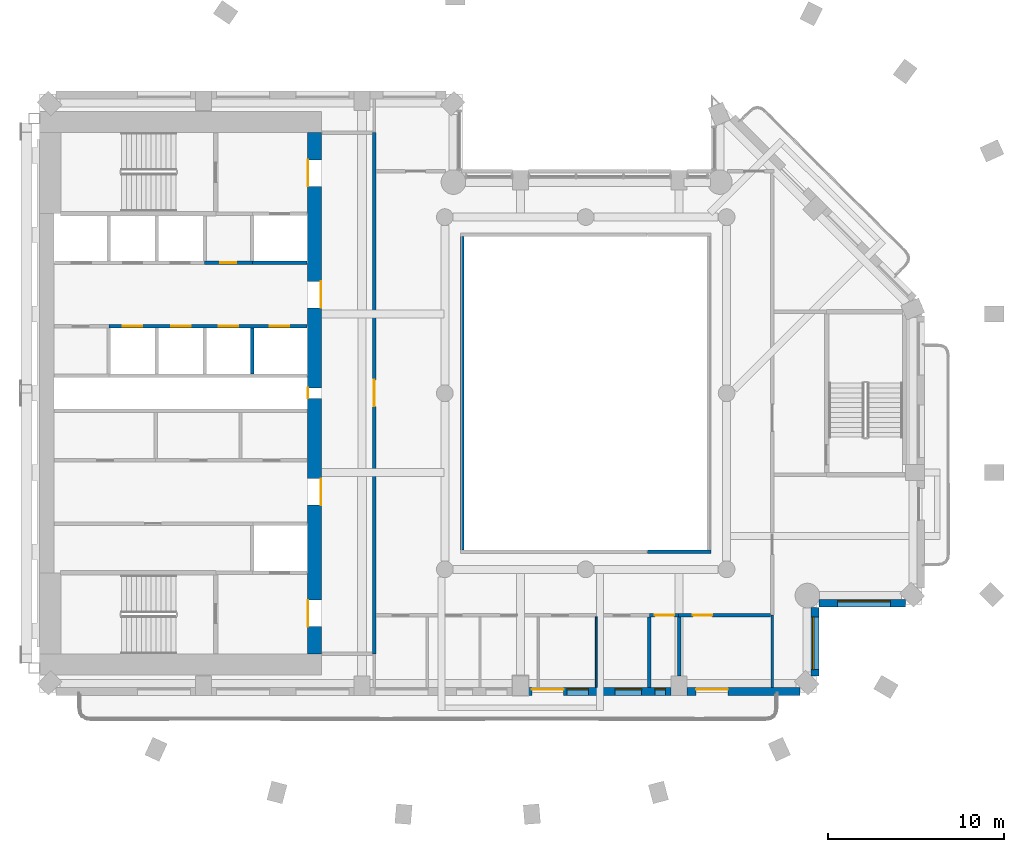
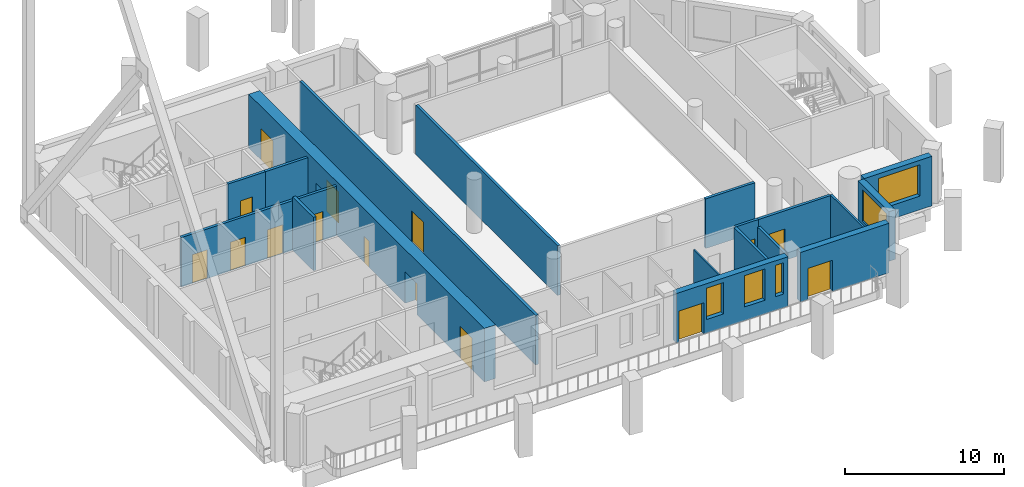
# One storey, part 5 of 16: 18 walls, 15 doors, 5 windows, 20 openings.
"""IFC4 building model written with IfcOpenShell, lengths in metres."""

from ifc_helpers import new_model, si_unit, direction, frame, frame_2d, origin, place, context, subcontext, project, spatial, rectangle, extrude, material, layer, layer_set, type_object, element, fill, save


model = new_model("IFC4")

# Units and contexts
model_context = context("Model", 3, precision=1e-05, world=origin(), true_north=direction((0.0, 1.0)))
body_context = subcontext(model_context, "Body", "Model", "MODEL_VIEW")
ifc_project = project(units=[si_unit("LENGTHUNIT", "METRE"), si_unit("AREAUNIT", "SQUARE_METRE"), si_unit("VOLUMEUNIT", "CUBIC_METRE"), si_unit("PLANEANGLEUNIT", "RADIAN"), si_unit("MASSUNIT", "GRAM", prefix="KILO")], contexts=[model_context])

# Site, building, storey
site_placement = place(None, origin())
site = spatial("IfcSite", under=ifc_project, at=site_placement, CompositionType="ELEMENT")
building_placement = place(site_placement, origin())
building = spatial("IfcBuilding", under=site, at=building_placement, Name="Cypress Arch Tower", CompositionType="ELEMENT")
storey_placement = place(building_placement, frame((0.0, 0.0, 197.39990234375)))
storey = spatial("IfcBuildingStorey", under=building, at=storey_placement, Name="L43", CompositionType="ELEMENT", Elevation=197.39990234375)

# Wall, openings, door, windows
ifc_material_1 = material(Name="Brick (red buff blend)", Category="masonry")
ifc_layer_1 = layer(ifc_material_1, 0.449951171875)
ifc_layer_set_1 = layer_set([ifc_layer_1], Name="Brick pier and spandrel wall BW450")
wall_type_1 = type_object("IfcWallType", Name="Brick pier and spandrel wall BW450", PredefinedType="SOLIDWALL", material=ifc_layer_set_1)
wall_1_placement = place(storey_placement, frame((-2.25, -16.925048828125, 0.0), z_axis=(0.0, 0.0, 1.0), x_axis=(1.0, 0.0, 0.0)))
wall_1 = element("IfcWall", 1, at=wall_1_placement, inside=storey, type_object=wall_type_1, Name="Brick wall L43 B01.3", PredefinedType="SOLIDWALL", context=body_context, shape_type="SweptSolid", body=[
    extrude(rectangle(XDim=8.10009765625, YDim=0.449951171875, at=frame_2d((4.050048828125, 0.0))), origin(), (0.0, 0.0, 1.0), 3.800048828125),
])
opening_1_placement = place(wall_1_placement, frame((0.199951171875, 0.0, 0.0)))
opening_1 = element("IfcOpeningElement", 2, at=opening_1_placement, cuts=wall_1, Name="Opening D-L43-B01.3.1", PredefinedType="OPENING", context=body_context, shape_type="SweptSolid", body=[
    extrude(rectangle(XDim=1.800048828125, YDim=2.39990234375, at=frame_2d((0.89990234375, 1.199951171875))), frame((0.0, 0.23486328125, 0.0), z_axis=(0.0, -1.0, 0.0), x_axis=(1.0, 0.0, 0.0)), (0.0, 0.0, 1.0), 0.469970703125),
])
opening_2_placement = place(wall_1_placement, frame((2.199951171875, 0.0, 1.050048828125)))
opening_2 = element("IfcOpeningElement", 3, at=opening_2_placement, cuts=wall_1, Name="Opening W120OD", PredefinedType="OPENING", context=body_context, shape_type="SweptSolid", body=[
    extrude(rectangle(XDim=1.199951171875, YDim=2.39990234375, at=frame_2d((0.60009765625, 1.199951171875))), frame((0.0, 0.23486328125, 0.0), z_axis=(0.0, -1.0, 0.0), x_axis=(1.0, 0.0, 0.0)), (0.0, 0.0, 1.0), 0.469970703125),
])
opening_3_placement = place(wall_1_placement, frame((4.925537109375, 0.0, 1.050048828125)))
opening_3 = element("IfcOpeningElement", 4, at=opening_3_placement, cuts=wall_1, Name="Opening W150OD", PredefinedType="OPENING", context=body_context, shape_type="SweptSolid", body=[
    extrude(rectangle(XDim=1.5, YDim=2.39990234375, at=frame_2d((0.75, 1.199951171875))), frame((0.0, 0.23486328125, 0.0), z_axis=(0.0, -1.0, 0.0), x_axis=(1.0, 0.0, 0.0)), (0.0, 0.0, 1.0), 0.469970703125),
])
opening_4_placement = place(wall_1_placement, frame((7.175537109375, 0.0, 1.050048828125)))
opening_4 = element("IfcOpeningElement", 5, at=opening_4_placement, cuts=wall_1, Name="Opening W060OD", PredefinedType="OPENING", context=body_context, shape_type="SweptSolid", body=[
    extrude(rectangle(XDim=0.60009765625, YDim=2.39990234375, at=frame_2d((0.300048828125, 1.199951171875))), frame((0.0, 0.23486328125, 0.0), z_axis=(0.0, -1.0, 0.0), x_axis=(1.0, 0.0, 0.0)), (0.0, 0.0, 1.0), 0.469970703125),
])
ifc_material_2 = material(Name="Anodised aluminium, bronze finish, laminated low-emissivity double glazing, large-missile impact rated", Category="aluminium")
door_type_1 = type_object("IfcDoorType", Name="Balcony sliding door 1800x2400", OperationType="SLIDING_TO_LEFT", PredefinedType="DOOR", material=ifc_material_2)
door_1_placement = place(opening_1_placement, origin())
door_1 = element("IfcDoor", 6, at=door_1_placement, inside=storey, type_object=door_type_1, Name="Balcony door L43 B01.3.1", OperationType="SLIDING_TO_LEFT", OverallHeight=2.39990234375, OverallWidth=1.800048828125, PredefinedType="DOOR", context=body_context, shape_type="SweptSolid", body=[
    extrude(rectangle(XDim=1.800048828125, YDim=2.39990234375, at=frame_2d((0.89990234375, 1.199951171875))), frame((0.0, 0.1298828125, 0.0), z_axis=(0.0, -1.0, 0.0), x_axis=(1.0, 0.0, 0.0)), (0.0, 0.0, 1.0), 0.050048828125),
])
fill(opening_1, door_1)
ifc_material_3 = material(Name="Anodised aluminium, bronze finish, laminated low-emissivity double glazing, large-missile impact rated", Category="aluminium")
window_type_1 = type_object("IfcWindowType", Name="Window Office 1200x2400 debris-rated", PartitioningType="SINGLE_PANEL", PredefinedType="WINDOW", material=ifc_material_3)
window_1_placement = place(opening_2_placement, origin())
window_1 = element("IfcWindow", 7, at=window_1_placement, inside=storey, type_object=window_type_1, Name="Window L43 B01.3.1", OverallHeight=2.39990234375, OverallWidth=1.199951171875, PartitioningType="SINGLE_PANEL", PredefinedType="WINDOW", context=body_context, shape_type="SweptSolid", body=[
    extrude(rectangle(XDim=1.199951171875, YDim=2.39990234375, at=frame_2d((0.60009765625, 1.199951171875))), frame((0.0, 0.135009765625, 0.0), z_axis=(0.0, -1.0, 0.0), x_axis=(1.0, 0.0, 0.0)), (0.0, 0.0, 1.0), 0.06005859375),
])
fill(opening_2, window_1)
ifc_material_4 = material(Name="Anodised aluminium, bronze finish, laminated low-emissivity double glazing, large-missile impact rated", Category="aluminium")
window_type_2 = type_object("IfcWindowType", Name="Window Office 1500x2400 debris-rated", PartitioningType="SINGLE_PANEL", PredefinedType="WINDOW", material=ifc_material_4)
window_2_placement = place(opening_3_placement, origin())
window_2 = element("IfcWindow", 8, at=window_2_placement, inside=storey, type_object=window_type_2, Name="Window L43 B01.3.2", OverallHeight=2.39990234375, OverallWidth=1.5, PartitioningType="SINGLE_PANEL", PredefinedType="WINDOW", context=body_context, shape_type="SweptSolid", body=[
    extrude(rectangle(XDim=1.5, YDim=2.39990234375, at=frame_2d((0.75, 1.199951171875))), frame((0.0, 0.135009765625, 0.0), z_axis=(0.0, -1.0, 0.0), x_axis=(1.0, 0.0, 0.0)), (0.0, 0.0, 1.0), 0.06005859375),
])
fill(opening_3, window_2)
ifc_material_5 = material(Name="Anodised aluminium, bronze finish, laminated low-emissivity double glazing, large-missile impact rated", Category="aluminium")
window_type_3 = type_object("IfcWindowType", Name="Window Office 600x2400 debris-rated", PartitioningType="SINGLE_PANEL", PredefinedType="WINDOW", material=ifc_material_5)
window_3_placement = place(opening_4_placement, origin())
window_3 = element("IfcWindow", 9, at=window_3_placement, inside=storey, type_object=window_type_3, Name="Window L43 B01.3.2b", OverallHeight=2.39990234375, OverallWidth=0.60009765625, PartitioningType="SINGLE_PANEL", PredefinedType="WINDOW", context=body_context, shape_type="SweptSolid", body=[
    extrude(rectangle(XDim=0.60009765625, YDim=2.39990234375, at=frame_2d((0.300048828125, 1.199951171875))), frame((0.0, 0.135009765625, 0.0), z_axis=(0.0, -1.0, 0.0), x_axis=(1.0, 0.0, 0.0)), (0.0, 0.0, 1.0), 0.06005859375),
])
fill(opening_4, window_3)

# Wall, opening, door
wall_2_placement = place(storey_placement, frame((6.75, -16.925048828125, 0.0), z_axis=(0.0, 0.0, 1.0), x_axis=(1.0, 0.0, 0.0)))
wall_2 = element("IfcWall", 10, at=wall_2_placement, inside=storey, type_object=wall_type_1, Name="Brick wall L43 B01.4", PredefinedType="SOLIDWALL", context=body_context, shape_type="SweptSolid", body=[
    extrude(rectangle(XDim=6.41357421875, YDim=0.449951171875, at=frame_2d((3.206787109375, 0.0))), origin(), (0.0, 0.0, 1.0), 3.800048828125),
])
opening_5_placement = place(wall_2_placement, frame((0.52490234375, 0.0, 0.0)))
opening_5 = element("IfcOpeningElement", 11, at=opening_5_placement, cuts=wall_2, Name="Opening D-L43-B01.4.1", PredefinedType="OPENING", context=body_context, shape_type="SweptSolid", body=[
    extrude(rectangle(XDim=1.800048828125, YDim=2.39990234375, at=frame_2d((0.89990234375, 1.199951171875))), frame((0.0, 0.23486328125, 0.0), z_axis=(0.0, -1.0, 0.0), x_axis=(1.0, 0.0, 0.0)), (0.0, 0.0, 1.0), 0.469970703125),
])
door_2_placement = place(opening_5_placement, origin())
door_2 = element("IfcDoor", 12, at=door_2_placement, inside=storey, type_object=door_type_1, Name="Balcony door L43 B01.4.1", OperationType="SLIDING_TO_LEFT", OverallHeight=2.39990234375, OverallWidth=1.800048828125, PredefinedType="DOOR", context=body_context, shape_type="SweptSolid", body=[
    extrude(rectangle(XDim=1.800048828125, YDim=2.39990234375, at=frame_2d((0.89990234375, 1.199951171875))), frame((0.0, 0.1298828125, 0.0), z_axis=(0.0, -1.0, 0.0), x_axis=(1.0, 0.0, 0.0)), (0.0, 0.0, 1.0), 0.050048828125),
])
fill(opening_5, door_2)

# Wall, opening, window
wall_3_placement = place(storey_placement, frame((14.02490234375, -16.063720703125, 0.0), z_axis=(0.0, 0.0, 1.0), x_axis=(0.0, 1.0, 0.0)))
wall_3 = element("IfcWall", 13, at=wall_3_placement, inside=storey, type_object=wall_type_1, Name="Brick wall L43 B02.0", PredefinedType="SOLIDWALL", context=body_context, shape_type="SweptSolid", body=[
    extrude(rectangle(XDim=3.9091796875, YDim=0.449951171875, at=frame_2d((1.95458984375, 0.0))), origin(), (0.0, 0.0, 1.0), 3.800048828125),
])
opening_6_placement = place(wall_3_placement, frame((0.363525390625, 0.0, 1.050048828125)))
opening_6 = element("IfcOpeningElement", 14, at=opening_6_placement, cuts=wall_3, Name="Opening W300O", PredefinedType="OPENING", context=body_context, shape_type="SweptSolid", body=[
    extrude(rectangle(XDim=3.0, YDim=2.39990234375, at=frame_2d((1.5, 1.199951171875))), frame((0.0, 0.23486328125, 0.0), z_axis=(0.0, -1.0, 0.0), x_axis=(1.0, 0.0, 0.0)), (0.0, 0.0, 1.0), 0.469970703125),
])
ifc_material_6 = material(Name="Anodised aluminium, bronze finish, clear low-emissivity double glazing", Category="aluminium")
window_type_4 = type_object("IfcWindowType", Name="Window Office 3000x2400", PartitioningType="SINGLE_PANEL", PredefinedType="WINDOW", material=ifc_material_6)
window_4_placement = place(opening_6_placement, origin())
window_4 = element("IfcWindow", 15, at=window_4_placement, inside=storey, type_object=window_type_4, Name="Window L43 B02.0.1", OverallHeight=2.39990234375, OverallWidth=3.0, PartitioningType="SINGLE_PANEL", PredefinedType="WINDOW", context=body_context, shape_type="SweptSolid", body=[
    extrude(rectangle(XDim=3.0, YDim=2.39990234375, at=frame_2d((1.5, 1.199951171875))), frame((0.0, 0.135009765625, 0.0), z_axis=(0.0, -1.0, 0.0), x_axis=(1.0, 0.0, 0.0)), (0.0, 0.0, 1.0), 0.06005859375),
])
fill(opening_6, window_4)

wall_4_placement = place(storey_placement, frame((14.254638671875, -11.925048828125, 0.0), z_axis=(0.0, 0.0, 1.0), x_axis=(1.0, 0.0, 0.0)))
wall_4 = element("IfcWall", 16, at=wall_4_placement, inside=storey, type_object=wall_type_1, Name="Brick wall L43 B03.0", PredefinedType="SOLIDWALL", context=body_context, shape_type="SweptSolid", body=[
    extrude(rectangle(XDim=4.908935546875, YDim=0.449951171875, at=frame_2d((2.45458984375, 0.0))), origin(), (0.0, 0.0, 1.0), 3.800048828125),
])
opening_7_placement = place(wall_4_placement, frame((1.04541015625, 0.0, 1.050048828125)))
opening_7 = element("IfcOpeningElement", 17, at=opening_7_placement, cuts=wall_4, Name="Opening W300O", PredefinedType="OPENING", context=body_context, shape_type="SweptSolid", body=[
    extrude(rectangle(XDim=3.0, YDim=2.39990234375, at=frame_2d((1.5, 1.199951171875))), frame((0.0, 0.23486328125, 0.0), z_axis=(0.0, -1.0, 0.0), x_axis=(1.0, 0.0, 0.0)), (0.0, 0.0, 1.0), 0.469970703125),
])
window_5_placement = place(opening_7_placement, origin())
window_5 = element("IfcWindow", 18, at=window_5_placement, inside=storey, type_object=window_type_4, Name="Window L43 B03.0.1", OverallHeight=2.39990234375, OverallWidth=3.0, PartitioningType="SINGLE_PANEL", PredefinedType="WINDOW", context=body_context, shape_type="SweptSolid", body=[
    extrude(rectangle(XDim=3.0, YDim=2.39990234375, at=frame_2d((1.5, 1.199951171875))), frame((0.0, 0.135009765625, 0.0), z_axis=(0.0, -1.0, 0.0), x_axis=(1.0, 0.0, 0.0)), (0.0, 0.0, 1.0), 0.06005859375),
])
fill(opening_7, window_5)

# Wall, openings, doors
ifc_material_7 = material(Name="Concrete C70/85", Category="concrete")
ifc_layer_2 = layer(ifc_material_7, 0.800048828125)
ifc_layer_set_2 = layer_set([ifc_layer_2], Name="Core wall CW800 C70/85")
wall_type_2 = type_object("IfcWallType", Name="Core wall CW800 C70/85", PredefinedType="SHEAR", material=ifc_layer_set_2)
wall_5_placement = place(storey_placement, frame((-14.39990234375, -14.800048828125, 0.0), z_axis=(0.0, 0.0, 1.0), x_axis=(0.0, 1.0, 0.0)))
wall_5 = element("IfcWall", 19, at=wall_5_placement, inside=storey, type_object=wall_type_2, Name="Core wall", PredefinedType="SHEAR", context=body_context, shape_type="SweptSolid", body=[
    extrude(rectangle(XDim=29.60009765625, YDim=0.800048828125, at=frame_2d((14.800048828125, 0.0))), origin(), (0.0, 0.0, 1.0), 4.10009765625),
])
opening_8_placement = place(wall_5_placement, frame((1.550048828125, 0.0, 0.0)))
opening_8 = element("IfcOpeningElement", 20, at=opening_8_placement, cuts=wall_5, Name="Opening D07", PredefinedType="OPENING", context=body_context, shape_type="SweptSolid", body=[
    extrude(rectangle(XDim=1.5, YDim=2.39990234375, at=frame_2d((0.75, 1.199951171875))), frame((0.0, 0.409912109375, 0.0), z_axis=(0.0, -1.0, 0.0), x_axis=(1.0, 0.0, 0.0)), (0.0, 0.0, 1.0), 0.820068359375),
])
opening_9_placement = place(wall_5_placement, frame((26.550048828125, 0.0, 0.0)))
opening_9 = element("IfcOpeningElement", 21, at=opening_9_placement, cuts=wall_5, Name="Opening D07", PredefinedType="OPENING", context=body_context, shape_type="SweptSolid", body=[
    extrude(rectangle(XDim=1.5, YDim=2.39990234375, at=frame_2d((0.75, 1.199951171875))), frame((0.0, 0.409912109375, 0.0), z_axis=(0.0, -1.0, 0.0), x_axis=(1.0, 0.0, 0.0)), (0.0, 0.0, 1.0), 0.820068359375),
])
opening_10_placement = place(wall_5_placement, frame((8.449951171875, 0.0, 0.0)))
opening_10 = element("IfcOpeningElement", 22, at=opening_10_placement, cuts=wall_5, Name="Opening D07", PredefinedType="OPENING", context=body_context, shape_type="SweptSolid", body=[
    extrude(rectangle(XDim=1.5, YDim=2.39990234375, at=frame_2d((0.75, 1.199951171875))), frame((0.0, 0.409912109375, 0.0), z_axis=(0.0, -1.0, 0.0), x_axis=(1.0, 0.0, 0.0)), (0.0, 0.0, 1.0), 0.820068359375),
])
opening_11_placement = place(wall_5_placement, frame((19.64990234375, 0.0, 0.0)))
opening_11 = element("IfcOpeningElement", 23, at=opening_11_placement, cuts=wall_5, Name="Opening D07", PredefinedType="OPENING", context=body_context, shape_type="SweptSolid", body=[
    extrude(rectangle(XDim=1.5, YDim=2.39990234375, at=frame_2d((0.75, 1.199951171875))), frame((0.0, 0.409912109375, 0.0), z_axis=(0.0, -1.0, 0.0), x_axis=(1.0, 0.0, 0.0)), (0.0, 0.0, 1.0), 0.820068359375),
])
opening_12_placement = place(wall_5_placement, frame((14.5, 0.0, 0.0)))
opening_12 = element("IfcOpeningElement", 24, at=opening_12_placement, cuts=wall_5, Name="Opening D08", PredefinedType="OPENING", context=body_context, shape_type="SweptSolid", body=[
    extrude(rectangle(XDim=0.60009765625, YDim=2.0, at=frame_2d((0.300048828125, 1.0))), frame((0.0, 0.409912109375, 0.0), z_axis=(0.0, -1.0, 0.0), x_axis=(1.0, 0.0, 0.0)), (0.0, 0.0, 1.0), 0.820068359375),
])
ifc_material_8 = material(Name="Steel framed glazed door, fire resisting", Category="steel")
door_type_2 = type_object("IfcDoorType", Name="Lobby door D07 1500x2400", OperationType="DOUBLE_DOOR_SINGLE_SWING", PredefinedType="DOOR", material=ifc_material_8)
door_3_placement = place(opening_8_placement, origin())
door_3 = element("IfcDoor", 25, at=door_3_placement, inside=storey, type_object=door_type_2, Name="Lobby door", OperationType="DOUBLE_DOOR_SINGLE_SWING", OverallHeight=2.39990234375, OverallWidth=1.5, PredefinedType="DOOR", context=body_context, shape_type="SweptSolid", body=[
    extrude(rectangle(XDim=1.5, YDim=2.39990234375, at=frame_2d((0.75, 1.199951171875))), frame((0.0, 0.39501953125, 0.0), z_axis=(0.0, -1.0, 0.0), x_axis=(1.0, 0.0, 0.0)), (0.0, 0.0, 1.0), 0.050048828125),
])
fill(opening_8, door_3)
door_4_placement = place(opening_9_placement, origin())
door_4 = element("IfcDoor", 26, at=door_4_placement, inside=storey, type_object=door_type_2, Name="Lobby door", OperationType="DOUBLE_DOOR_SINGLE_SWING", OverallHeight=2.39990234375, OverallWidth=1.5, PredefinedType="DOOR", context=body_context, shape_type="SweptSolid", body=[
    extrude(rectangle(XDim=1.5, YDim=2.39990234375, at=frame_2d((0.75, 1.199951171875))), frame((0.0, 0.39501953125, 0.0), z_axis=(0.0, -1.0, 0.0), x_axis=(1.0, 0.0, 0.0)), (0.0, 0.0, 1.0), 0.050048828125),
])
fill(opening_9, door_4)
door_5_placement = place(opening_10_placement, origin())
door_5 = element("IfcDoor", 27, at=door_5_placement, inside=storey, type_object=door_type_2, Name="Lobby door", OperationType="DOUBLE_DOOR_SINGLE_SWING", OverallHeight=2.39990234375, OverallWidth=1.5, PredefinedType="DOOR", context=body_context, shape_type="SweptSolid", body=[
    extrude(rectangle(XDim=1.5, YDim=2.39990234375, at=frame_2d((0.75, 1.199951171875))), frame((0.0, -0.34521484375, 0.0), z_axis=(0.0, -1.0, 0.0), x_axis=(1.0, 0.0, 0.0)), (0.0, 0.0, 1.0), 0.050048828125),
])
fill(opening_10, door_5)
door_6_placement = place(opening_11_placement, origin())
door_6 = element("IfcDoor", 28, at=door_6_placement, inside=storey, type_object=door_type_2, Name="Lobby door", OperationType="DOUBLE_DOOR_SINGLE_SWING", OverallHeight=2.39990234375, OverallWidth=1.5, PredefinedType="DOOR", context=body_context, shape_type="SweptSolid", body=[
    extrude(rectangle(XDim=1.5, YDim=2.39990234375, at=frame_2d((0.75, 1.199951171875))), frame((0.0, -0.34521484375, 0.0), z_axis=(0.0, -1.0, 0.0), x_axis=(1.0, 0.0, 0.0)), (0.0, 0.0, 1.0), 0.050048828125),
])
fill(opening_11, door_6)
ifc_material_9 = material(Name="Steel access door, fire resisting", Category="steel")
door_type_3 = type_object("IfcDoorType", Name="Riser access door D08 600x2000", OperationType="SINGLE_SWING_LEFT", PredefinedType="DOOR", material=ifc_material_9)
door_7_placement = place(opening_12_placement, origin())
door_7 = element("IfcDoor", 29, at=door_7_placement, inside=storey, type_object=door_type_3, Name="Riser access door", OperationType="SINGLE_SWING_RIGHT", OverallHeight=2.0, OverallWidth=0.60009765625, PredefinedType="DOOR", context=body_context, shape_type="SweptSolid", body=[
    extrude(rectangle(XDim=0.60009765625, YDim=2.0, at=frame_2d((0.300048828125, 1.0))), frame((0.0, 0.39501953125, 0.0), z_axis=(0.0, -1.0, 0.0), x_axis=(1.0, 0.0, 0.0)), (0.0, 0.0, 1.0), 0.050048828125),
])
fill(opening_12, door_7)

# Wall, opening, door
ifc_material_10 = material(Name="Concrete blockwork, plastered, rated", Category="masonry")
ifc_layer_3 = layer(ifc_material_10, 0.199951171875)
ifc_layer_set_3 = layer_set([ifc_layer_3], Name="Corridor wall FW200")
wall_type_3 = type_object("IfcWallType", Name="Corridor wall FW200", PredefinedType="PARTITIONING", material=ifc_layer_set_3)
wall_6_placement = place(storey_placement, frame((-20.639892578125, 7.39990234375, 0.0), z_axis=(0.0, 0.0, 1.0), x_axis=(1.0, 0.0, 0.0)))
wall_6 = element("IfcWall", 30, at=wall_6_placement, inside=storey, type_object=wall_type_3, Name="Corridor wall", PredefinedType="PARTITIONING", context=body_context, shape_type="SweptSolid", body=[
    extrude(rectangle(XDim=2.719970703125, YDim=0.199951171875, at=frame_2d((1.35986328125, 0.0))), origin(), (0.0, 0.0, 1.0), 3.800048828125),
])
opening_13_placement = place(wall_6_placement, frame((0.89990234375, 0.0, 0.0)))
opening_13 = element("IfcOpeningElement", 31, at=opening_13_placement, cuts=wall_6, Name="Opening D05", PredefinedType="OPENING", context=body_context, shape_type="SweptSolid", body=[
    extrude(rectangle(XDim=0.89990234375, YDim=2.199951171875, at=frame_2d((0.449951171875, 1.10009765625))), frame((0.0, 0.10986328125, 0.0), z_axis=(0.0, -1.0, 0.0), x_axis=(1.0, 0.0, 0.0)), (0.0, 0.0, 1.0), 0.219970703125),
])
ifc_material_11 = material(Name="Timber flush door", Category="wood")
door_type_4 = type_object("IfcDoorType", Name="Service door D05 900x2200", OperationType="SINGLE_SWING_LEFT", PredefinedType="DOOR", material=ifc_material_11)
door_8_placement = place(opening_13_placement, origin())
door_8 = element("IfcDoor", 32, at=door_8_placement, inside=storey, type_object=door_type_4, Name="Service door", OperationType="SINGLE_SWING_LEFT", OverallHeight=2.199951171875, OverallWidth=0.89990234375, PredefinedType="DOOR", context=body_context, shape_type="SweptSolid", body=[
    extrude(rectangle(XDim=0.89990234375, YDim=2.199951171875, at=frame_2d((0.449951171875, 1.10009765625))), frame((0.0, 0.02490234375, 0.0), z_axis=(0.0, -1.0, 0.0), x_axis=(1.0, 0.0, 0.0)), (0.0, 0.0, 1.0), 0.050048828125),
])
fill(opening_13, door_8)

wall_7_placement = place(storey_placement, frame((-11.0, -14.800048828125, 0.0), z_axis=(0.0, 0.0, 1.0), x_axis=(0.0, 1.0, 0.0)))
wall_7 = element("IfcWall", 33, at=wall_7_placement, inside=storey, type_object=wall_type_3, Name="Corridor wall", PredefinedType="PARTITIONING", context=body_context, shape_type="SweptSolid", body=[
    extrude(rectangle(XDim=29.60009765625, YDim=0.199951171875, at=frame_2d((14.800048828125, 0.0))), origin(), (0.0, 0.0, 1.0), 3.800048828125),
])
opening_14_placement = place(wall_7_placement, frame((14.050048828125, 0.0, 0.0)))
opening_14 = element("IfcOpeningElement", 34, at=opening_14_placement, cuts=wall_7, Name="Opening D07", PredefinedType="OPENING", context=body_context, shape_type="SweptSolid", body=[
    extrude(rectangle(XDim=1.5, YDim=2.39990234375, at=frame_2d((0.75, 1.199951171875))), frame((0.0, 0.10986328125, 0.0), z_axis=(0.0, -1.0, 0.0), x_axis=(1.0, 0.0, 0.0)), (0.0, 0.0, 1.0), 0.219970703125),
])
door_9_placement = place(opening_14_placement, origin())
door_9 = element("IfcDoor", 35, at=door_9_placement, inside=storey, type_object=door_type_2, Name="Lobby door", OperationType="DOUBLE_DOOR_SINGLE_SWING", OverallHeight=2.39990234375, OverallWidth=1.5, PredefinedType="DOOR", context=body_context, shape_type="SweptSolid", body=[
    extrude(rectangle(XDim=1.5, YDim=2.39990234375, at=frame_2d((0.75, 1.199951171875))), frame((0.0, 0.02490234375, 0.0), z_axis=(0.0, -1.0, 0.0), x_axis=(1.0, 0.0, 0.0)), (0.0, 0.0, 1.0), 0.050048828125),
])
fill(opening_14, door_9)

# Walls
wall_8_placement = place(storey_placement, frame((-6.0, -8.89990234375, 0.0), z_axis=(0.0, 0.0, 1.0), x_axis=(0.0, 1.0, 0.0)))
element("IfcWall", 36, at=wall_8_placement, inside=storey, type_object=wall_type_3, Name="Corridor wall", PredefinedType="PARTITIONING", context=body_context, shape_type="SweptSolid", body=[
    extrude(rectangle(XDim=17.7998046875, YDim=0.199951171875, at=frame_2d((8.89990234375, 0.0))), origin(), (0.0, 0.0, 1.0), 3.800048828125),
])
wall_9_placement = place(storey_placement, frame((4.52001953125, -9.0, 0.0), z_axis=(0.0, 0.0, 1.0), x_axis=(1.0, 0.0, 0.0)))
element("IfcWall", 37, at=wall_9_placement, inside=storey, type_object=wall_type_3, Name="Corridor wall", PredefinedType="PARTITIONING", context=body_context, shape_type="SweptSolid", body=[
    extrude(rectangle(XDim=3.580078125, YDim=0.199951171875, at=frame_2d((1.7900390625, 0.0))), origin(), (0.0, 0.0, 1.0), 3.800048828125),
])

# Wall, opening, door
wall_10_placement = place(storey_placement, frame((6.280029296875, -12.60009765625, 0.0), z_axis=(0.0, 0.0, 1.0), x_axis=(1.0, 0.0, 0.0)))
wall_10 = element("IfcWall", 38, at=wall_10_placement, inside=storey, type_object=wall_type_3, Name="Corridor wall", PredefinedType="PARTITIONING", context=body_context, shape_type="SweptSolid", body=[
    extrude(rectangle(XDim=5.219970703125, YDim=0.199951171875, at=frame_2d((2.60986328125, 0.0))), origin(), (0.0, 0.0, 1.0), 3.800048828125),
])
opening_15_placement = place(wall_10_placement, frame((0.800048828125, 0.0, 0.0)))
opening_15 = element("IfcOpeningElement", 39, at=opening_15_placement, cuts=wall_10, Name="Opening D01", PredefinedType="OPENING", context=body_context, shape_type="SweptSolid", body=[
    extrude(rectangle(XDim=1.10009765625, YDim=2.39990234375, at=frame_2d((0.550048828125, 1.199951171875))), frame((0.0, 0.10986328125, 0.0), z_axis=(0.0, -1.0, 0.0), x_axis=(1.0, 0.0, 0.0)), (0.0, 0.0, 1.0), 0.219970703125),
])
ifc_material_12 = material(Name="Timber flush door, fire resisting, self-closing", Category="wood")
door_type_5 = type_object("IfcDoorType", Name="Unit entrance door D01 1100x2400", OperationType="SINGLE_SWING_LEFT", PredefinedType="DOOR", material=ifc_material_12)
door_10_placement = place(opening_15_placement, origin())
door_10 = element("IfcDoor", 40, at=door_10_placement, inside=storey, type_object=door_type_5, Name="Unit entrance door", OperationType="SINGLE_SWING_RIGHT", OverallHeight=2.39990234375, OverallWidth=1.10009765625, PredefinedType="DOOR", context=body_context, shape_type="SweptSolid", body=[
    extrude(rectangle(XDim=1.10009765625, YDim=2.39990234375, at=frame_2d((0.550048828125, 1.199951171875))), frame((0.0, 0.02490234375, 0.0), z_axis=(0.0, -1.0, 0.0), x_axis=(1.0, 0.0, 0.0)), (0.0, 0.0, 1.0), 0.050048828125),
])
fill(opening_15, door_10)

# Wall
ifc_material_13 = material(Name="Blockwork, plastered both sides", Category="masonry")
ifc_layer_4 = layer(ifc_material_13, 0.14990234375)
ifc_layer_set_4 = layer_set([ifc_layer_4], Name="Partition PW150")
wall_type_4 = type_object("IfcWallType", Name="Partition PW150", PredefinedType="PARTITIONING", material=ifc_layer_set_4)
wall_11_placement = place(storey_placement, frame((11.60009765625, -16.699951171875, 0.0), z_axis=(0.0, 0.0, 1.0), x_axis=(0.0, 1.0, 0.0)))
element("IfcWall", 41, at=wall_11_placement, inside=storey, type_object=wall_type_4, Name="Partition", PredefinedType="PARTITIONING", context=body_context, shape_type="SweptSolid", body=[
    extrude(rectangle(XDim=4.099853515625, YDim=0.14990234375, at=frame_2d((2.0498046875, 0.0))), origin(), (0.0, 0.0, 1.0), 3.800048828125),
])

# Wall, opening, door
ifc_material_14 = material(Name="Reinforced blockwork, plastered, rated", Category="masonry")
ifc_layer_5 = layer(ifc_material_14, 0.199951171875)
ifc_layer_set_5 = layer_set([ifc_layer_5], Name="Plant and riser wall PL200")
wall_type_5 = type_object("IfcWallType", Name="Plant and riser wall PL200", PredefinedType="PARTITIONING", material=ifc_layer_set_5)
wall_12_placement = place(storey_placement, frame((4.62109375, -12.60009765625, 0.0), z_axis=(0.0, 0.0, 1.0), x_axis=(1.0, 0.0, 0.0)))
wall_12 = element("IfcWall", 42, at=wall_12_placement, inside=storey, type_object=wall_type_5, Name="Plant and riser wall", PredefinedType="PARTITIONING", context=body_context, shape_type="SweptSolid", body=[
    extrude(rectangle(XDim=1.658935546875, YDim=0.199951171875, at=frame_2d((0.82958984375, 0.0))), origin(), (0.0, 0.0, 1.0), 3.800048828125),
])
opening_16_placement = place(wall_12_placement, frame((0.300048828125, 0.0, 0.0)))
opening_16 = element("IfcOpeningElement", 43, at=opening_16_placement, cuts=wall_12, Name="Opening D01", PredefinedType="OPENING", context=body_context, shape_type="SweptSolid", body=[
    extrude(rectangle(XDim=1.10009765625, YDim=2.39990234375, at=frame_2d((0.550048828125, 1.199951171875))), frame((0.0, 0.10986328125, 0.0), z_axis=(0.0, -1.0, 0.0), x_axis=(1.0, 0.0, 0.0)), (0.0, 0.0, 1.0), 0.219970703125),
])
door_11_placement = place(opening_16_placement, origin())
door_11 = element("IfcDoor", 44, at=door_11_placement, inside=storey, type_object=door_type_5, Name="Unit entrance door", OperationType="SINGLE_SWING_LEFT", OverallHeight=2.39990234375, OverallWidth=1.10009765625, PredefinedType="DOOR", context=body_context, shape_type="SweptSolid", body=[
    extrude(rectangle(XDim=1.10009765625, YDim=2.39990234375, at=frame_2d((0.550048828125, 1.199951171875))), frame((0.0, 0.02490234375, 0.0), z_axis=(0.0, -1.0, 0.0), x_axis=(1.0, 0.0, 0.0)), (0.0, 0.0, 1.0), 0.050048828125),
])
fill(opening_16, door_11)

# Walls
wall_13_placement = place(storey_placement, frame((4.60107421875, -16.699951171875, 0.0), z_axis=(0.0, 0.0, 1.0), x_axis=(0.0, 1.0, 0.0)))
element("IfcWall", 45, at=wall_13_placement, inside=storey, type_object=wall_type_5, Name="Plant and riser wall", PredefinedType="PARTITIONING", context=body_context, shape_type="SweptSolid", body=[
    extrude(rectangle(XDim=4.0, YDim=0.199951171875, at=frame_2d((2.0, 0.0))), origin(), (0.0, 0.0, 1.0), 3.800048828125),
])
wall_14_placement = place(storey_placement, frame((6.300048828125, -16.050048828125, 0.0), z_axis=(0.0, 0.0, 1.0), x_axis=(0.0, 1.0, 0.0)))
element("IfcWall", 46, at=wall_14_placement, inside=storey, type_object=wall_type_5, Name="Plant and riser wall", PredefinedType="PARTITIONING", context=body_context, shape_type="SweptSolid", body=[
    extrude(rectangle(XDim=3.35009765625, YDim=0.199951171875, at=frame_2d((1.675048828125, 0.0))), origin(), (0.0, 0.0, 1.0), 3.25),
])

# Wall, openings, doors
ifc_material_15 = material(Name="Concrete C50/60", Category="concrete")
ifc_layer_6 = layer(ifc_material_15, 0.199951171875)
ifc_layer_set_6 = layer_set([ifc_layer_6], Name="Shaft wall SH200")
wall_type_6 = type_object("IfcWallType", Name="Shaft wall SH200", PredefinedType="SHEAR", material=ifc_layer_set_6)
wall_15_placement = place(storey_placement, frame((-26.080078125, 3.800048828125, 0.0), z_axis=(0.0, 0.0, 1.0), x_axis=(1.0, 0.0, 0.0)))
wall_15 = element("IfcWall", 47, at=wall_15_placement, inside=storey, type_object=wall_type_6, Name="Shaft wall", PredefinedType="SHEAR", context=body_context, shape_type="SweptSolid", body=[
    extrude(rectangle(XDim=11.25, YDim=0.199951171875, at=frame_2d((5.625, 0.0))), origin(), (0.0, 0.0, 1.0), 3.800048828125),
])
opening_17_placement = place(wall_15_placement, frame((0.800048828125, 0.0, 0.0)))
opening_17 = element("IfcOpeningElement", 48, at=opening_17_placement, cuts=wall_15, Name="Opening LD-HR1", PredefinedType="OPENING", context=body_context, shape_type="SweptSolid", body=[
    extrude(rectangle(XDim=1.10009765625, YDim=2.199951171875, at=frame_2d((0.550048828125, 1.10009765625))), frame((0.0, 0.10986328125, 0.0), z_axis=(0.0, -1.0, 0.0), x_axis=(1.0, 0.0, 0.0)), (0.0, 0.0, 1.0), 0.219970703125),
])
opening_18_placement = place(wall_15_placement, frame((3.550048828125, 0.0, 0.0)))
opening_18 = element("IfcOpeningElement", 49, at=opening_18_placement, cuts=wall_15, Name="Opening LD-HR2", PredefinedType="OPENING", context=body_context, shape_type="SweptSolid", body=[
    extrude(rectangle(XDim=1.10009765625, YDim=2.199951171875, at=frame_2d((0.550048828125, 1.10009765625))), frame((0.0, 0.10986328125, 0.0), z_axis=(0.0, -1.0, 0.0), x_axis=(1.0, 0.0, 0.0)), (0.0, 0.0, 1.0), 0.219970703125),
])
opening_19_placement = place(wall_15_placement, frame((6.25, 0.0, 0.0)))
opening_19 = element("IfcOpeningElement", 50, at=opening_19_placement, cuts=wall_15, Name="Opening LD-HR3", PredefinedType="OPENING", context=body_context, shape_type="SweptSolid", body=[
    extrude(rectangle(XDim=1.10009765625, YDim=2.199951171875, at=frame_2d((0.550048828125, 1.10009765625))), frame((0.0, 0.10986328125, 0.0), z_axis=(0.0, -1.0, 0.0), x_axis=(1.0, 0.0, 0.0)), (0.0, 0.0, 1.0), 0.219970703125),
])
opening_20_placement = place(wall_15_placement, frame((9.14990234375, 0.0, 0.0)))
opening_20 = element("IfcOpeningElement", 51, at=opening_20_placement, cuts=wall_15, Name="Opening LD-HR4", PredefinedType="OPENING", context=body_context, shape_type="SweptSolid", body=[
    extrude(rectangle(XDim=1.10009765625, YDim=2.199951171875, at=frame_2d((0.550048828125, 1.10009765625))), frame((0.0, 0.10986328125, 0.0), z_axis=(0.0, -1.0, 0.0), x_axis=(1.0, 0.0, 0.0)), (0.0, 0.0, 1.0), 0.219970703125),
])
ifc_material_16 = material(Name="Stainless steel centre-opening landing door, rated", Category="steel")
door_type_6 = type_object("IfcDoorType", Name="Lift landing door LD 1100x2200", OperationType="DOUBLE_DOOR_SLIDING", PredefinedType="DOOR", material=ifc_material_16)
door_12_placement = place(opening_17_placement, origin())
door_12 = element("IfcDoor", 52, at=door_12_placement, inside=storey, type_object=door_type_6, Name="Lift landing doors HR1", OperationType="DOUBLE_DOOR_SLIDING", OverallHeight=2.199951171875, OverallWidth=1.10009765625, PredefinedType="DOOR", context=body_context, shape_type="SweptSolid", body=[
    extrude(rectangle(XDim=1.10009765625, YDim=2.199951171875, at=frame_2d((0.550048828125, 1.10009765625))), frame((0.0, 0.02490234375, 0.0), z_axis=(0.0, -1.0, 0.0), x_axis=(1.0, 0.0, 0.0)), (0.0, 0.0, 1.0), 0.050048828125),
])
fill(opening_17, door_12)
door_13_placement = place(opening_18_placement, origin())
door_13 = element("IfcDoor", 53, at=door_13_placement, inside=storey, type_object=door_type_6, Name="Lift landing doors HR2", OperationType="DOUBLE_DOOR_SLIDING", OverallHeight=2.199951171875, OverallWidth=1.10009765625, PredefinedType="DOOR", context=body_context, shape_type="SweptSolid", body=[
    extrude(rectangle(XDim=1.10009765625, YDim=2.199951171875, at=frame_2d((0.550048828125, 1.10009765625))), frame((0.0, 0.02490234375, 0.0), z_axis=(0.0, -1.0, 0.0), x_axis=(1.0, 0.0, 0.0)), (0.0, 0.0, 1.0), 0.050048828125),
])
fill(opening_18, door_13)
door_14_placement = place(opening_19_placement, origin())
door_14 = element("IfcDoor", 54, at=door_14_placement, inside=storey, type_object=door_type_6, Name="Lift landing doors HR3", OperationType="DOUBLE_DOOR_SLIDING", OverallHeight=2.199951171875, OverallWidth=1.10009765625, PredefinedType="DOOR", context=body_context, shape_type="SweptSolid", body=[
    extrude(rectangle(XDim=1.10009765625, YDim=2.199951171875, at=frame_2d((0.550048828125, 1.10009765625))), frame((0.0, 0.02490234375, 0.0), z_axis=(0.0, -1.0, 0.0), x_axis=(1.0, 0.0, 0.0)), (0.0, 0.0, 1.0), 0.050048828125),
])
fill(opening_19, door_14)
door_15_placement = place(opening_20_placement, origin())
door_15 = element("IfcDoor", 55, at=door_15_placement, inside=storey, type_object=door_type_6, Name="Lift landing doors HR4", OperationType="DOUBLE_DOOR_SLIDING", OverallHeight=2.199951171875, OverallWidth=1.10009765625, PredefinedType="DOOR", context=body_context, shape_type="SweptSolid", body=[
    extrude(rectangle(XDim=1.10009765625, YDim=2.199951171875, at=frame_2d((0.550048828125, 1.10009765625))), frame((0.0, 0.02490234375, 0.0), z_axis=(0.0, -1.0, 0.0), x_axis=(1.0, 0.0, 0.0)), (0.0, 0.0, 1.0), 0.050048828125),
])
fill(opening_20, door_15)

# Walls
wall_16_placement = place(storey_placement, frame((-17.919921875, 1.10009765625, 0.0), z_axis=(0.0, 0.0, 1.0), x_axis=(0.0, 1.0, 0.0)))
element("IfcWall", 56, at=wall_16_placement, inside=storey, type_object=wall_type_6, Name="Shaft wall", PredefinedType="SHEAR", context=body_context, shape_type="SweptSolid", body=[
    extrude(rectangle(XDim=2.599853515625, YDim=0.199951171875, at=frame_2d((1.2998046875, 0.0))), origin(), (0.0, 0.0, 1.0), 4.10009765625),
])
wall_17_placement = place(storey_placement, frame((-17.919921875, 7.39990234375, 0.0), z_axis=(0.0, 0.0, 1.0), x_axis=(1.0, 0.0, 0.0)))
element("IfcWall", 57, at=wall_17_placement, inside=storey, type_object=wall_type_6, Name="Shaft wall", PredefinedType="SHEAR", context=body_context, shape_type="SweptSolid", body=[
    extrude(rectangle(XDim=3.08984375, YDim=0.199951171875, at=frame_2d((1.544921875, 0.0))), origin(), (0.0, 0.0, 1.0), 3.800048828125),
])
ifc_material_17 = material(Name="Moisture resistant board on steel studs, tiled", Category="steel")
ifc_layer_7 = layer(ifc_material_17, 0.10009765625)
ifc_layer_set_7 = layer_set([ifc_layer_7], Name="Wet wall PW100")
wall_type_7 = type_object("IfcWallType", Name="Wet wall PW100", PredefinedType="PARTITIONING", material=ifc_layer_set_7)
wall_18_placement = place(storey_placement, frame((1.60107421875, -16.699951171875, 0.0), z_axis=(0.0, 0.0, 1.0), x_axis=(0.0, 1.0, 0.0)))
element("IfcWall", 58, at=wall_18_placement, inside=storey, type_object=wall_type_7, Name="Wet wall", PredefinedType="PARTITIONING", context=body_context, shape_type="SweptSolid", body=[
    extrude(rectangle(XDim=4.0, YDim=0.10009765625, at=frame_2d((2.0, 0.0))), origin(), (0.0, 0.0, 1.0), 3.150146484375),
])

save(model, "model.ifc")
